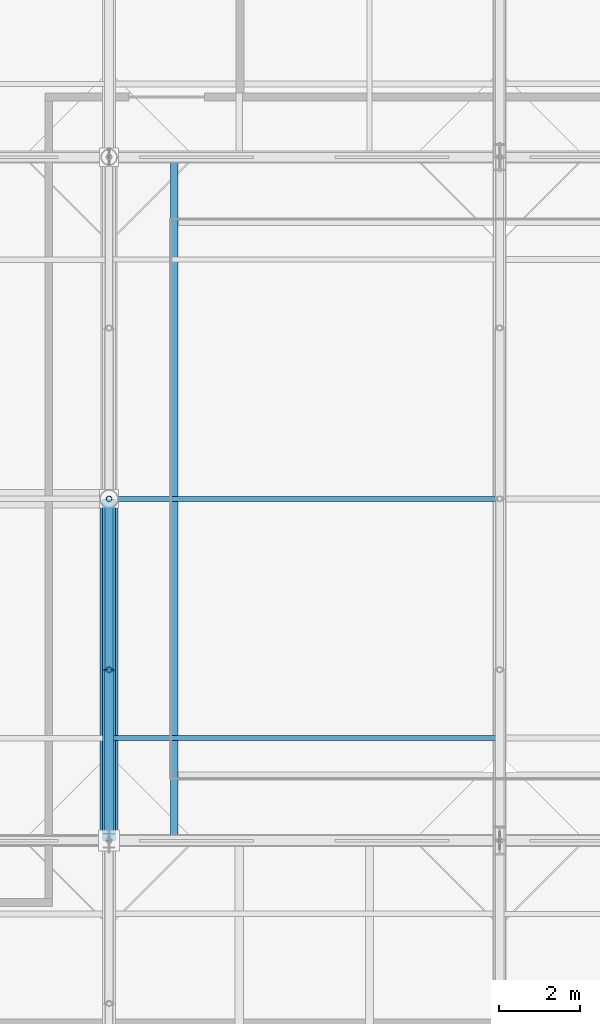
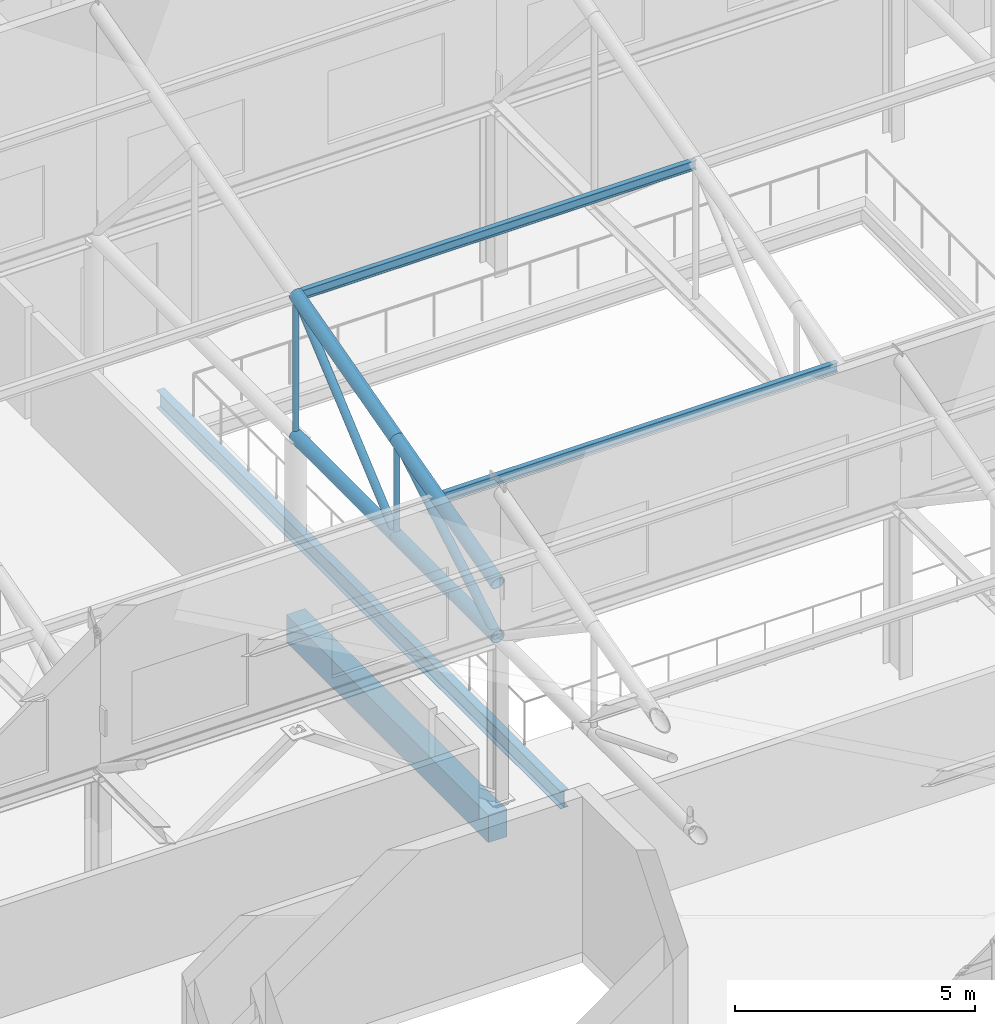
# One storey, part 25 of 89: 10 members, 2 beams.
"""IFC4 building model written with IfcOpenShell, lengths in metres."""

from ifc_helpers import new_model, si_unit, direction, frame, origin, origin_2d, place, context, subcontext, project, spatial, rectangle, hollow_circle, i_section, extrude, material, material_profile, profile_set, type_object, element, save


model = new_model("IFC4")

# Units and contexts
model_context = context("Model", 3, precision=1e-05, world=origin(), true_north=direction((0.0, 1.0)))
body_context = subcontext(model_context, "Body", "Model", "MODEL_VIEW")
ifc_project = project(units=[si_unit("LENGTHUNIT", "METRE"), si_unit("AREAUNIT", "SQUARE_METRE"), si_unit("VOLUMEUNIT", "CUBIC_METRE"), si_unit("PLANEANGLEUNIT", "RADIAN"), si_unit("MASSUNIT", "GRAM", prefix="KILO")], contexts=[model_context])

# Site, building, storey
site_placement = place(None, origin())
site = spatial("IfcSite", under=ifc_project, at=site_placement, CompositionType="ELEMENT")
building_placement = place(site_placement, origin())
building = spatial("IfcBuilding", under=site, at=building_placement, Name="Zereglee Splitstone Museum", CompositionType="ELEMENT")
storey_placement = place(building_placement, frame((0.0, 0.0, 21.300048828125)))
storey = spatial("IfcBuildingStorey", under=building, at=storey_placement, Name="L04", CompositionType="ELEMENT", Elevation=21.300048828125)

# Beam
ifc_material_1 = material(Name="Concrete C40/50", Category="concrete")
ifc_material_profile_1 = material_profile(ifc_material_1, rectangle(XDim=0.449951171875, YDim=0.699951171875, at=origin_2d()), Name="RC 450x700")
ifc_profile_set_1 = profile_set([ifc_material_profile_1], Name="Concrete C40/50")
beam_type_1 = type_object("IfcBeamType", Name="BG-03", PredefinedType="BEAM", material=ifc_profile_set_1)
beam_1_placement = place(storey_placement, frame((97.199951171875, 21.60009765625, -0.610107421875), z_axis=(0.0, 1.0, 0.0), x_axis=(-1.0, 0.0, 0.0)))
element("IfcBeam", 1, at=beam_1_placement, inside=storey, type_object=beam_type_1, Name="Primary Girder L04 12 (21.6-30.0)", PredefinedType="BEAM", context=body_context, shape_type="SweptSolid", body=[
    extrude(rectangle(XDim=0.449951171875, YDim=0.699951171875, at=origin_2d()), origin(), (0.0, 0.0, 1.0), 8.39990234375),
])

# Members
ifc_material_2 = material(Name="Steel S355J2H", Category="steel")
ifc_material_profile_2 = material_profile(ifc_material_2, hollow_circle(Radius=0.096923828125, WallThickness=0.010009765625, at=origin_2d()), Name="CHS 193.7x10")
ifc_profile_set_2 = profile_set([ifc_material_profile_2], Name="Steel S355J2H")
member_type_1 = type_object("IfcMemberType", Name="TB-04", PredefinedType="BRACE", material=ifc_profile_set_2)
member_1_placement = place(storey_placement, frame((97.199951171875, 25.800048828125, 4.199951171875), z_axis=(0.0, 0.759244140748, 0.650805911728), x_axis=(-1.0, 0.0, 0.0)))
element("IfcMember", 2, at=member_1_placement, inside=storey, type_object=member_type_1, Name="Roof Truss ST-03 Diagonal 2.2", PredefinedType="BRACE", context=body_context, shape_type="SweptSolid", body=[
    extrude(hollow_circle(Radius=0.096923828125, WallThickness=0.010009765625, at=origin_2d()), origin(), (0.0, 0.0, 1.0), 5.53173828125),
])
ifc_material_profile_3 = material_profile(ifc_material_2, hollow_circle(Radius=0.109619140625, WallThickness=0.010009765625, at=origin_2d()), Name="CHS 219.1x10")
ifc_profile_set_3 = profile_set([ifc_material_profile_3], Name="Steel S355J2H")
member_type_2 = type_object("IfcMemberType", Name="TB-03", PredefinedType="BRACE", material=ifc_profile_set_3)
member_2_placement = place(storey_placement, frame((97.199951171875, 21.60009765625, 4.199951171875), z_axis=(0.0, 0.861527117747, 0.50771155727), x_axis=(-1.0, 0.0, 0.0)))
element("IfcMember", 3, at=member_2_placement, inside=storey, type_object=member_type_2, Name="Roof Truss ST-03 Diagonal 2.1", PredefinedType="BRACE", context=body_context, shape_type="SweptSolid", body=[
    extrude(hollow_circle(Radius=0.109619140625, WallThickness=0.010009765625, at=origin_2d()), origin(), (0.0, 0.0, 1.0), 4.875),
])
ifc_material_profile_4 = material_profile(ifc_material_2, hollow_circle(Radius=0.161865234375, WallThickness=0.01611328125, at=origin_2d()), Name="CHS 323.9x16")
ifc_profile_set_4 = profile_set([ifc_material_profile_4], Name="Steel S355J2H")
member_type_3 = type_object("IfcMemberType", Name="TC-05", PredefinedType="CHORD", material=ifc_profile_set_4)
member_3_placement = place(storey_placement, frame((97.199951171875, 21.60009765625, 4.199951171875), z_axis=(0.0, 1.0, 0.0), x_axis=(-1.0, 0.0, 0.0)))
element("IfcMember", 4, at=member_3_placement, inside=storey, type_object=member_type_3, Name="Roof Truss ST-03 Bottom Chord 2.1", PredefinedType="CHORD", context=body_context, shape_type="SweptSolid", body=[
    extrude(hollow_circle(Radius=0.161865234375, WallThickness=0.01611328125, at=origin_2d()), origin(), (0.0, 0.0, 1.0), 4.199951171875),
])
member_4_placement = place(storey_placement, frame((97.199951171875, 21.60009765625, 5.550048828125), z_axis=(0.0, 0.965947299715, 0.258738891884), x_axis=(-1.0, 0.0, 0.0)))
element("IfcMember", 5, at=member_4_placement, inside=storey, type_object=member_type_3, Name="Roof Truss ST-03 Top Chord 2.1", PredefinedType="CHORD", context=body_context, shape_type="SweptSolid", body=[
    extrude(hollow_circle(Radius=0.161865234375, WallThickness=0.01611328125, at=origin_2d()), origin(), (0.0, 0.0, 1.0), 4.347900390625),
])
member_5_placement = place(storey_placement, frame((97.199951171875, 25.800048828125, 4.199951171875), z_axis=(0.0, 1.0, 0.0), x_axis=(-1.0, 0.0, 0.0)))
element("IfcMember", 6, at=member_5_placement, inside=storey, type_object=member_type_3, Name="Roof Truss ST-03 Bottom Chord 2.2", PredefinedType="CHORD", context=body_context, shape_type="SweptSolid", body=[
    extrude(hollow_circle(Radius=0.161865234375, WallThickness=0.01611328125, at=origin_2d()), origin(), (0.0, 0.0, 1.0), 4.199951171875),
])
member_6_placement = place(storey_placement, frame((97.199951171875, 25.800048828125, 6.675048828125), z_axis=(0.0, 0.965947299715, 0.258738891884), x_axis=(-1.0, 0.0, 0.0)))
element("IfcMember", 7, at=member_6_placement, inside=storey, type_object=member_type_3, Name="Roof Truss ST-03 Top Chord 2.2", PredefinedType="CHORD", context=body_context, shape_type="SweptSolid", body=[
    extrude(hollow_circle(Radius=0.161865234375, WallThickness=0.01611328125, at=origin_2d()), origin(), (0.0, 0.0, 1.0), 4.347900390625),
])

# Beam
ifc_material_3 = material(Name="Steel S355J2", Category="steel")
ifc_material_profile_5 = material_profile(ifc_material_3, i_section(OverallWidth=0.18994140625, OverallDepth=0.449951171875, WebThickness=0.009521484375, FlangeThickness=0.0146484375, FilletRadius=0.02099609375, at=origin_2d()), Name="IPE 450")
ifc_profile_set_5 = profile_set([ifc_material_profile_5], Name="Steel S355J2")
beam_type_2 = type_object("IfcBeamType", Name="BJ-02", PredefinedType="JOIST", material=ifc_profile_set_5)
beam_2_placement = place(storey_placement, frame((98.800048828125, 21.60009765625, -0.485107421875), z_axis=(0.0, 1.0, 0.0), x_axis=(-1.0, 0.0, 0.0)))
element("IfcBeam", 8, at=beam_2_placement, inside=storey, type_object=beam_type_2, Name="Atrium Edge Beam L04 W", PredefinedType="JOIST", context=body_context, shape_type="SweptSolid", body=[
    extrude(i_section(OverallWidth=0.18994140625, OverallDepth=0.449951171875, WebThickness=0.009521484375, FlangeThickness=0.0146484375, FilletRadius=0.02099609375, at=origin_2d()), origin(), (0.0, 0.0, 1.0), 16.7998046875),
])

# Members
ifc_material_profile_6 = material_profile(ifc_material_2, hollow_circle(Radius=0.06982421875, WallThickness=0.008056640625, at=origin_2d()), Name="CHS 139.7x8")
ifc_profile_set_6 = profile_set([ifc_material_profile_6], Name="Steel S355J2H")
member_type_4 = type_object("IfcMemberType", Name="TP-03", PredefinedType="POST", material=ifc_profile_set_6)
member_7_placement = place(storey_placement, frame((97.199951171875, 25.800048828125, 4.199951171875), z_axis=(0.0, 0.0, 1.0), x_axis=(1.0, 0.0, 0.0)))
element("IfcMember", 9, at=member_7_placement, inside=storey, type_object=member_type_4, Name="Roof Truss ST-03 Post 2.1", PredefinedType="POST", context=body_context, shape_type="SweptSolid", body=[
    extrude(hollow_circle(Radius=0.06982421875, WallThickness=0.008056640625, at=origin_2d()), origin(), (0.0, 0.0, 1.0), 2.47509765625),
])
member_8_placement = place(storey_placement, frame((97.199951171875, 30.0, 4.199951171875), z_axis=(0.0, 0.0, 1.0), x_axis=(1.0, 0.0, 0.0)))
element("IfcMember", 10, at=member_8_placement, inside=storey, type_object=member_type_4, Name="Roof Truss ST-03 Post 2.2", PredefinedType="POST", context=body_context, shape_type="SweptSolid", body=[
    extrude(hollow_circle(Radius=0.06982421875, WallThickness=0.008056640625, at=origin_2d()), origin(), (0.0, 0.0, 1.0), 3.60009765625),
])
ifc_material_profile_7 = material_profile(ifc_material_3, i_section(OverallWidth=0.1201171875, OverallDepth=0.239990234375, WebThickness=0.006103515625, FlangeThickness=0.009765625, FilletRadius=0.014892578125, at=origin_2d()), Name="IPE 240")
ifc_profile_set_7 = profile_set([ifc_material_profile_7], Name="Steel S355J2")
member_type_5 = type_object("IfcMemberType", Name="PR-03", PredefinedType="PURLIN", material=ifc_profile_set_7)
for number, where, z_axis, x_axis, name in (
    (11, (97.199951171875, 24.1201171875, 6.17919921875), (1.0, 0.0, 0.0), (0.0, 1.0, 0.0), "Sawtooth Roof Purlin B3-S2-1"),
    (12, (97.199951171875, 30.0, 7.754150390625), (1.0, 0.0, 0.0), (0.0, 1.0, 0.0), "Sawtooth Roof Purlin B3-S2-2"),
):
    element("IfcMember", number, at=place(storey_placement, frame(where, z_axis=z_axis, x_axis=x_axis)), inside=storey, type_object=member_type_5, Name=name, PredefinedType="PURLIN", context=body_context, shape_type="SweptSolid", body=[
        extrude(i_section(OverallWidth=0.1201171875, OverallDepth=0.239990234375, WebThickness=0.006103515625, FlangeThickness=0.009765625, FilletRadius=0.014892578125, at=origin_2d()), origin(), (0.0, 0.0, 1.0), 9.60009765625),
    ])

save(model, "model.ifc")
